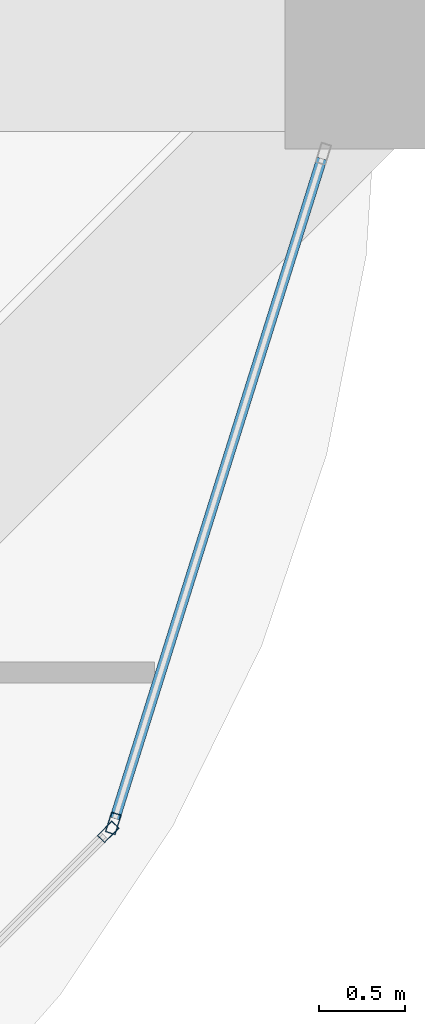
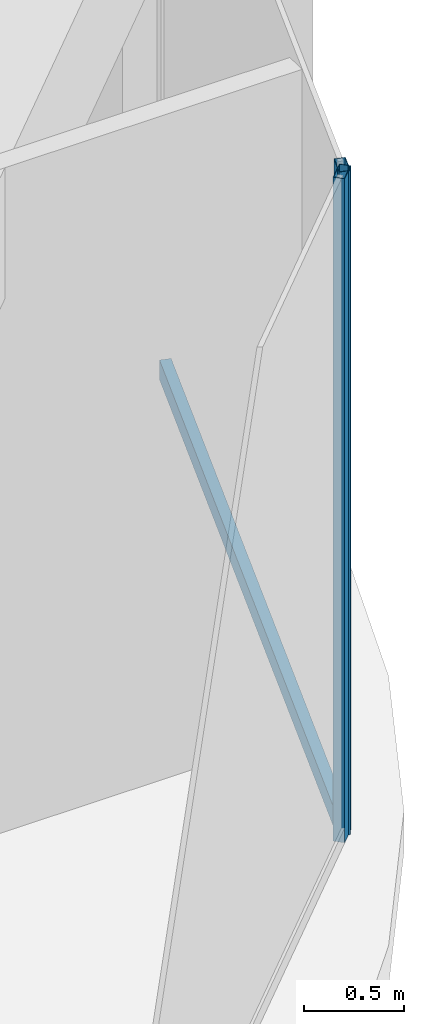
# One storey, part 20 of 44: 3 members, 2 elements without a shape of their own.
"""IFC4 building model written with IfcOpenShell, lengths in metres."""

from ifc_helpers import new_model, si_unit, direction, frame, origin, origin_2d, place, context, subcontext, project, spatial, hollow_rectangle, extrude, material, material_profile, profile_set, type_object, element, aggregate, save


model = new_model("IFC4")

# Units and contexts
model_context = context("Model", 3, precision=1e-05, world=origin(), true_north=direction((0.0, 1.0)))
body_context = subcontext(model_context, "Body", "Model", "MODEL_VIEW")
ifc_project = project(units=[si_unit("LENGTHUNIT", "METRE"), si_unit("AREAUNIT", "SQUARE_METRE"), si_unit("VOLUMEUNIT", "CUBIC_METRE"), si_unit("PLANEANGLEUNIT", "RADIAN"), si_unit("MASSUNIT", "GRAM", prefix="KILO")], contexts=[model_context])

# Site, building, storey
site_placement = place(None, origin())
site = spatial("IfcSite", under=ifc_project, at=site_placement, CompositionType="ELEMENT")
building_placement = place(site_placement, origin())
building = spatial("IfcBuilding", under=site, at=building_placement, Name="Zorevar Civic Tower", CompositionType="ELEMENT")
storey_placement = place(building_placement, frame((0.0, 0.0, 307.39990234375)))
storey = spatial("IfcBuildingStorey", under=building, at=storey_placement, Name="L75", CompositionType="ELEMENT", Elevation=307.39990234375)

# Curtain wall, member
ifc_material_1 = material(Name="Dark grey solar-control glass in black aluminium frame", Category="aluminium")
curtain_wall_type = type_object("IfcCurtainWallType", Name="Curtain wall CW5 top zone", PredefinedType="NOTDEFINED", material=ifc_material_1)
curtain_wall_1_placement = place(storey_placement, origin())
curtain_wall_1 = element("IfcCurtainWall", 1, at=curtain_wall_1_placement, inside=storey, type_object=curtain_wall_type, Name="CW5 L75", PredefinedType="NOTDEFINED")
ifc_material_2 = material(Name="Aluminium, black anodised", Category="aluminium")
ifc_material_profile_1 = material_profile(ifc_material_2, hollow_rectangle(XDim=0.06005859375, YDim=0.1201171875, WallThickness=0.0029296875, at=origin_2d()), Name="AL 120x60x3")
ifc_profile_set_1 = profile_set([ifc_material_profile_1], Name="Aluminium, black anodised")
member_type_1 = type_object("IfcMemberType", Name="CW5 mullion AL 120x60x3", PredefinedType="MULLION", material=ifc_profile_set_1)
member_1_placement = place(storey_placement, frame((52.419677734375, 4.470947265625, 0.0), z_axis=(0.0, 0.0, 1.0), x_axis=(-0.707106781187, 0.707106781187, 0.0)))
member_1 = element("IfcMember", 2, at=member_1_placement, type_object=member_type_1, Name="CW5 mullion 2", PredefinedType="MULLION", context=body_context, shape_type="SweptSolid", body=[
    extrude(hollow_rectangle(XDim=0.06005859375, YDim=0.1201171875, WallThickness=0.0029296875, at=origin_2d()), origin(), (0.0, 0.0, 1.0), 4.050048828125),
])
aggregate(curtain_wall_1, [member_1])

# Curtain wall, members
curtain_wall_2_placement = place(storey_placement, origin())
curtain_wall_2 = element("IfcCurtainWall", 3, at=curtain_wall_2_placement, inside=storey, type_object=curtain_wall_type, Name="CW5 L75", PredefinedType="NOTDEFINED")
member_2_placement = place(storey_placement, frame((52.449951171875, 4.520751953125, 0.0), z_axis=(0.0, 0.0, 1.0), x_axis=(-0.954153437674, 0.299317920238, 0.0)))
member_2 = element("IfcMember", 4, at=member_2_placement, type_object=member_type_1, Name="CW5 mullion 1", PredefinedType="MULLION", context=body_context, shape_type="SweptSolid", body=[
    extrude(hollow_rectangle(XDim=0.06005859375, YDim=0.1201171875, WallThickness=0.0029296875, at=origin_2d()), origin(), (0.0, 0.0, 1.0), 4.050048828125),
])
ifc_material_3 = material(Name="Aluminium, black anodised", Category="aluminium")
ifc_material_profile_2 = material_profile(ifc_material_3, hollow_rectangle(XDim=0.06005859375, YDim=0.1201171875, WallThickness=0.0029296875, at=origin_2d()), Name="AL 120x60x3")
ifc_profile_set_2 = profile_set([ifc_material_profile_2], Name="Aluminium, black anodised")
member_type_2 = type_object("IfcMemberType", Name="CW5 transom AL 120x60x3", PredefinedType="USERDEFINED", material=ifc_profile_set_2)
member_3_placement = place(storey_placement, frame((52.458984375, 4.54931640625, 0.030029296875), z_axis=(0.299285978047, 0.954163457351, 0.0), x_axis=(-0.954163457351, 0.299285978047, 0.0)))
member_3 = element("IfcMember", 5, at=member_3_placement, type_object=member_type_2, Name="CW5 sill transom", ObjectType="TRANSOM", PredefinedType="USERDEFINED", context=body_context, shape_type="SweptSolid", body=[
    extrude(hollow_rectangle(XDim=0.06005859375, YDim=0.1201171875, WallThickness=0.0029296875, at=origin_2d()), origin(), (0.0, 0.0, 1.0), 4.028076171875),
])
aggregate(curtain_wall_2, [member_2, member_3])

save(model, "model.ifc")
